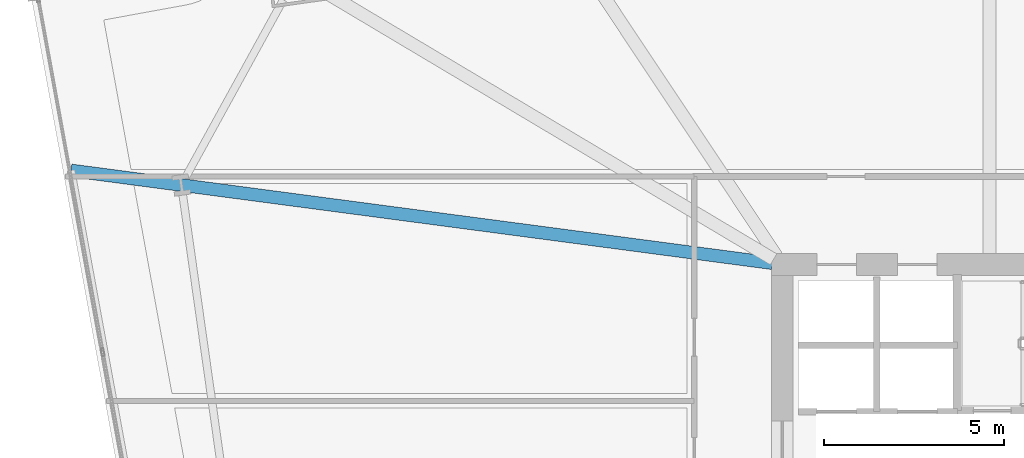
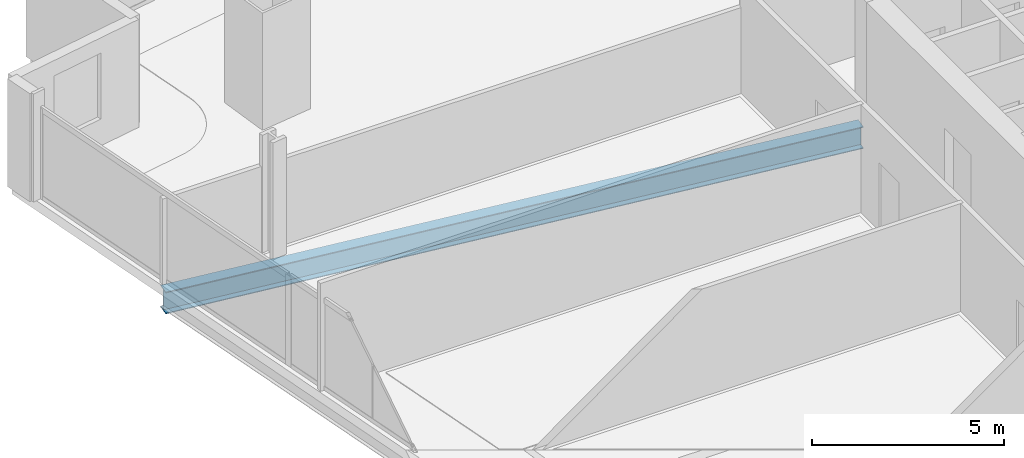
# One storey, part 15 of 34: 1 beam.
"""IFC4 building model written with IfcOpenShell, lengths in metres."""

from ifc_helpers import new_model, si_unit, direction, frame, origin, origin_2d, place, context, subcontext, project, spatial, i_section, extrude, material, material_profile, profile_set, type_object, element, save


model = new_model("IFC4")

# Units and contexts
model_context = context("Model", 3, precision=1e-05, world=origin(), true_north=direction((0.0, 1.0)))
body_context = subcontext(model_context, "Body", "Model", "MODEL_VIEW")
ifc_project = project(units=[si_unit("LENGTHUNIT", "METRE"), si_unit("AREAUNIT", "SQUARE_METRE"), si_unit("VOLUMEUNIT", "CUBIC_METRE"), si_unit("PLANEANGLEUNIT", "RADIAN"), si_unit("MASSUNIT", "GRAM", prefix="KILO")], contexts=[model_context])

# Site, building, storey
site_placement = place(None, origin())
site = spatial("IfcSite", under=ifc_project, at=site_placement, CompositionType="ELEMENT")
building_placement = place(site_placement, origin())
building = spatial("IfcBuilding", under=site, at=building_placement, Name="Haldenkirk Collegiate Tower", CompositionType="ELEMENT")
storey_placement = place(building_placement, frame((0.0, 0.0, 62.699951171875)))
storey = spatial("IfcBuildingStorey", under=building, at=storey_placement, Name="L14", CompositionType="ELEMENT", Elevation=62.699951171875)

# Beam
ifc_material = material(Name="Steel ASTM A992 Grade 50", Category="steel")
ifc_material_profile = material_profile(ifc_material, i_section(OverallWidth=0.35498046875, OverallDepth=0.696044921875, WebThickness=0.015380859375, FlangeThickness=0.02490234375, at=origin_2d()), Name="W27X146")
ifc_profile_set = profile_set([ifc_material_profile], Name="Steel ASTM A992 Grade 50")
beam_type = type_object("IfcBeamType", Name="BM-GIRDER-W27X146", PredefinedType="BEAM", material=ifc_profile_set)
beam_placement = place(storey_placement, frame((7.193359375, 36.619384765625, -0.657958984375), z_axis=(0.991367728875, -0.131110740005, 0.0), x_axis=(0.131110740005, 0.991367728875, 0.0)))
element("IfcBeam", 1, at=beam_placement, inside=storey, type_object=beam_type, Name="L14 primary floor girder 14", PredefinedType="BEAM", context=body_context, shape_type="SweptSolid", body=[
    extrude(i_section(OverallWidth=0.35498046875, OverallDepth=0.696044921875, WebThickness=0.015380859375, FlangeThickness=0.02490234375, at=origin_2d()), origin(), (0.0, 0.0, 1.0), 19.69921875),
])

save(model, "model.ifc")
